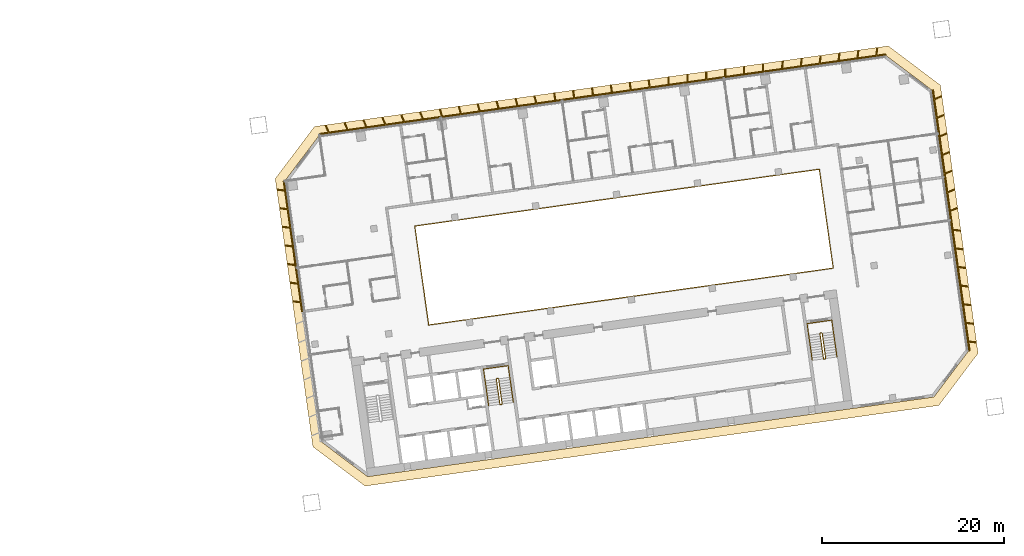
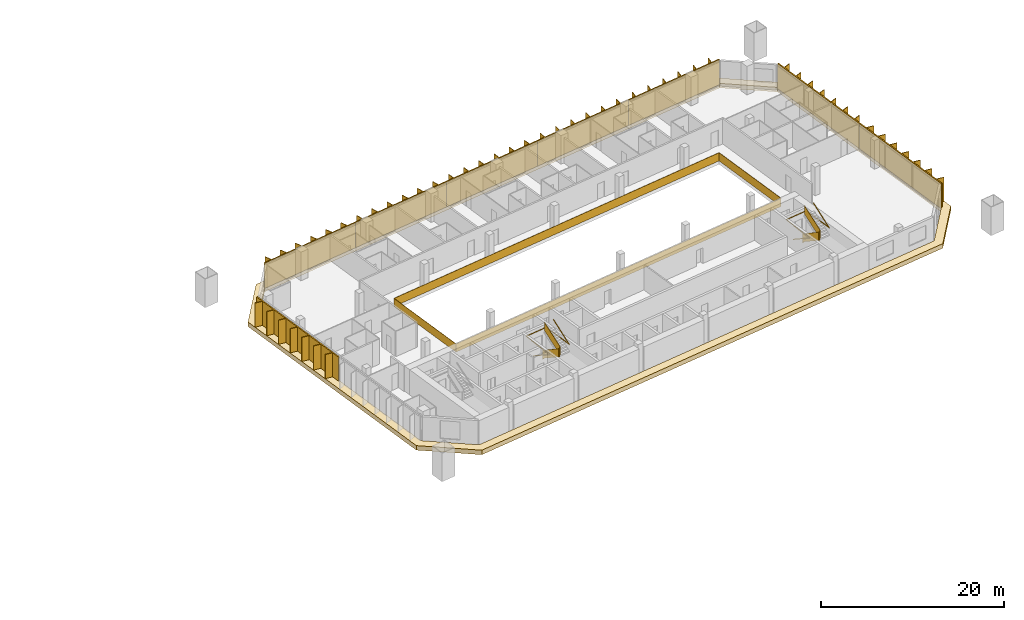
# One storey, part 25 of 25: 8 shading devices, 5 railings, 1 covering.
"""IFC4 building model written with IfcOpenShell, lengths in metres."""

from ifc_helpers import new_model, si_unit, direction, frame, origin, origin_2d, place, context, subcontext, project, spatial, polyline, rectangle, outline, extrude, material, layer, layer_set, type_object, element, save


model = new_model("IFC4")

# Units and contexts
model_context = context("Model", 3, precision=1e-05, world=origin(), true_north=direction((0.0, 1.0)))
body_context = subcontext(model_context, "Body", "Model", "MODEL_VIEW")
ifc_project = project(units=[si_unit("LENGTHUNIT", "METRE"), si_unit("AREAUNIT", "SQUARE_METRE"), si_unit("VOLUMEUNIT", "CUBIC_METRE"), si_unit("PLANEANGLEUNIT", "RADIAN"), si_unit("MASSUNIT", "GRAM", prefix="KILO")], contexts=[model_context])

# Site, building, storey
site_placement = place(None, origin())
site = spatial("IfcSite", under=ifc_project, at=site_placement, CompositionType="ELEMENT")
building_placement = place(site_placement, origin())
building = spatial("IfcBuilding", under=site, at=building_placement, Name="Mirante Cascada Hotel Towers", CompositionType="ELEMENT")
storey_placement = place(building_placement, frame((0.0, 0.0, 62.3)))
storey = spatial("IfcBuildingStorey", under=building, at=storey_placement, Name="L12", CompositionType="ELEMENT", Elevation=62.3)

# Railing
ifc_material_1 = material(Name="Toughened glass with stainless steel handrail", Category="steel")
railing_type_1 = type_object("IfcRailingType", Name="Atrium guard 1100 glass balustrade", PredefinedType="GUARDRAIL", material=ifc_material_1)
railing_1_placement = place(storey_placement, frame((43.8418, -3.4881, 0.0)))
element("IfcRailing", 1, at=railing_1_placement, inside=storey, type_object=railing_type_1, Name="GUARD 2-L12-1", PredefinedType="GUARDRAIL", context=body_context, shape_type="SweptSolid", body=[
    extrude(rectangle(XDim=0.048, YDim=0.048, at=origin_2d()), frame((0.0, 0.0, 1.076), z_axis=(0.9902681, 0.1391732, 0.0), x_axis=(-0.1391732, 0.9902681, 0.0)), (0.0, 0.0, 1.0), 45.0),
    extrude(rectangle(XDim=0.02, YDim=1.052, at=origin_2d()), frame((0.0, 0.0, 0.526), z_axis=(0.9902681, 0.1391732, 0.0), x_axis=(-0.1391732, 0.9902681, 0.0)), (0.0, 0.0, 1.0), 45.0),
    extrude(rectangle(XDim=0.048, YDim=0.048, at=origin_2d()), frame((44.5621, 6.2628, 1.076), z_axis=(-0.1391721, 0.9902682, 0.0), x_axis=(-0.9902682, -0.1391721, 0.0)), (0.0, 0.0, 1.0), 11.0001),
    extrude(rectangle(XDim=0.02, YDim=1.052, at=origin_2d()), frame((44.5621, 6.2628, 0.526), z_axis=(-0.1391721, 0.9902682, 0.0), x_axis=(-0.9902682, -0.1391721, 0.0)), (0.0, 0.0, 1.0), 11.0001),
    extrude(rectangle(XDim=0.048, YDim=0.048, at=origin_2d()), frame((43.0312, 17.1558, 1.076), z_axis=(-0.9902681, -0.1391732, 0.0), x_axis=(0.1391732, -0.9902681, 0.0)), (0.0, 0.0, 1.0), 45.0),
    extrude(rectangle(XDim=0.02, YDim=1.052, at=origin_2d()), frame((43.0312, 17.1558, 0.526), z_axis=(-0.9902681, -0.1391732, 0.0), x_axis=(0.1391732, -0.9902681, 0.0)), (0.0, 0.0, 1.0), 45.0),
    extrude(rectangle(XDim=0.048, YDim=0.048, at=origin_2d()), frame((-1.5309, 10.893, 1.076), z_axis=(0.1391721, -0.9902682, 0.0), x_axis=(0.9902682, 0.1391721, 0.0)), (0.0, 0.0, 1.0), 11.0001),
    extrude(rectangle(XDim=0.02, YDim=1.052, at=origin_2d()), frame((-1.5309, 10.893, 0.526), z_axis=(0.1391721, -0.9902682, 0.0), x_axis=(0.9902682, 0.1391721, 0.0)), (0.0, 0.0, 1.0), 11.0001),
])

# Covering
ifc_material_2 = material(Name="Precast concrete C40/50 white", Category="concrete")
ifc_layer = layer(ifc_material_2, 0.6)
ifc_layer_set = layer_set([ifc_layer], Name="Precast concrete SUNSHADE band 1000x600")
covering_type = type_object("IfcCoveringType", Name="Precast concrete SUNSHADE band 1000x600", PredefinedType="CLADDING", material=ifc_layer_set)
covering_placement = place(storey_placement, frame((0.0, 0.0, -0.45)))
element("IfcCovering", 2, at=covering_placement, inside=storey, type_object=covering_type, Name="Precast concrete SUNSHADE band T2 L12", PredefinedType="CLADDING", context=body_context, shape_type="SweptSolid", body=[
    extrude(outline(polyline([(26.9341, 12.6299), (31.2626, 18.374), (94.4698, 27.2572), (100.2139, 22.9287), (104.3652, -6.6094), (100.0367, -12.3535), (36.8295, -21.2367), (31.0854, -16.9082), (26.9341, 12.6299)]), holes=[polyline([(103.3173, -6.3384), (99.2813, 22.3794), (94.1988, 26.2093), (31.8119, 17.4414), (27.982, 12.3589), (32.018, -16.3589), (37.1005, -20.1888), (99.4874, -11.4209), (103.3173, -6.3384)])]), origin(), (0.0, 0.0, 1.0), 0.6),
])

# Railings
ifc_material_3 = material(Name="Painted steel", Category="steel")
railing_type_2 = type_object("IfcRailingType", Name="Stair guard 1100 steel balustrade", PredefinedType="GUARDRAIL", material=ifc_material_3)
railing_2_placement = place(storey_placement, frame((51.4864, -9.3815, 0.0)))
element("IfcRailing", 3, at=railing_2_placement, inside=storey, type_object=railing_type_2, Name="L12 ST2-B stair guard 1", PredefinedType="GUARDRAIL", context=body_context, shape_type="SweptSolid", body=[
    extrude(rectangle(XDim=0.048, YDim=0.048, at=origin_2d()), frame((0.0, 0.0, 1.076), z_axis=(-0.9902408, -0.1393672, 0.0), x_axis=(0.1393672, -0.9902408, 0.0)), (0.0, 0.0, 1.0), 0.15),
    extrude(rectangle(XDim=0.02, YDim=1.052, at=origin_2d()), frame((0.0, 0.0, 0.526), z_axis=(-0.9902408, -0.1393672, 0.0), x_axis=(0.1393672, -0.9902408, 0.0)), (0.0, 0.0, 1.0), 0.15),
    extrude(rectangle(XDim=0.048, YDim=0.048, at=origin_2d()), frame((-0.1485, -0.0209, 1.076), z_axis=(-0.6020331, -0.7984711, 0.0), x_axis=(0.7984711, -0.6020331, 0.0)), (0.0, 0.9253398, 0.3791387), 0.1866),
    extrude(rectangle(XDim=0.02, YDim=1.052, at=origin_2d()), frame((-0.1485, -0.0209, 0.526), z_axis=(-0.6020331, -0.7984711, 0.0), x_axis=(0.7984711, -0.6020331, 0.0)), (0.0, 0.9253398, 0.3791387), 0.1866),
    extrude(rectangle(XDim=0.048, YDim=0.048, at=origin_2d()), frame((-0.1911, -0.0774, 1.2487), z_axis=(0.139181, -0.990267, 0.0), x_axis=(0.990267, 0.139181, 0.0)), (0.0, 0.5250347, 0.8510808), 3.2899),
    extrude(rectangle(XDim=0.02, YDim=1.052, at=origin_2d()), frame((-0.1911, -0.0774, 0.6987), z_axis=(0.139181, -0.990267, 0.0), x_axis=(0.990267, 0.139181, 0.0)), (0.0, 0.5250347, 0.8510808), 3.2899),
    extrude(rectangle(XDim=0.048, YDim=0.048, at=origin_2d()), frame((0.1986, -2.8501, 2.976), z_axis=(0.9944441, -0.1052656, 0.0), x_axis=(0.1052656, 0.9944441, 0.0)), (0.0, 0.0, 1.0), 0.2061),
    extrude(rectangle(XDim=0.02, YDim=1.052, at=origin_2d()), frame((0.1986, -2.8501, 2.426), z_axis=(0.9944441, -0.1052656, 0.0), x_axis=(0.1052656, 0.9944441, 0.0)), (0.0, 0.0, 1.0), 0.2061),
    extrude(rectangle(XDim=0.048, YDim=0.048, at=origin_2d()), frame((0.4036, -2.8718, 2.976), z_axis=(-0.9902408, -0.1393672, 0.0), x_axis=(0.1393672, -0.9902408, 0.0)), (0.0, 0.0, 1.0), 0.15),
    extrude(rectangle(XDim=0.02, YDim=1.052, at=origin_2d()), frame((0.4036, -2.8718, 2.426), z_axis=(-0.9902408, -0.1393672, 0.0), x_axis=(0.1393672, -0.9902408, 0.0)), (0.0, 0.0, 1.0), 0.15),
    extrude(rectangle(XDim=0.048, YDim=0.048, at=origin_2d()), frame((0.2551, -2.8927, 2.976), z_axis=(0.9268624, 0.3754011, 0.0), x_axis=(-0.3754011, 0.9268624, 0.0)), (0.0, 0.6421217, 0.7666028), 0.269),
    extrude(rectangle(XDim=0.02, YDim=1.052, at=origin_2d()), frame((0.2551, -2.8927, 2.426), z_axis=(0.9268624, 0.3754011, 0.0), x_axis=(-0.3754011, 0.9268624, 0.0)), (0.0, 0.6421217, 0.7666028), 0.269),
    extrude(rectangle(XDim=0.048, YDim=0.048, at=origin_2d()), frame((0.4462, -2.8153, 3.1487), z_axis=(-0.139181, 0.990267, 0.0), x_axis=(-0.990267, -0.139181, 0.0)), (0.0, 0.5250347, 0.8510808), 3.2899),
    extrude(rectangle(XDim=0.02, YDim=1.052, at=origin_2d()), frame((0.4462, -2.8153, 2.5987), z_axis=(-0.139181, 0.990267, 0.0), x_axis=(-0.990267, -0.139181, 0.0)), (0.0, 0.5250347, 0.8510808), 3.2899),
])
railing_3_placement = place(storey_placement, frame((87.1361, -4.3713, 0.0)))
element("IfcRailing", 4, at=railing_3_placement, inside=storey, type_object=railing_type_2, Name="L12 ST2-C stair guard 1", PredefinedType="GUARDRAIL", context=body_context, shape_type="SweptSolid", body=[
    extrude(rectangle(XDim=0.048, YDim=0.048, at=origin_2d()), frame((0.0, 0.0, 1.076), z_axis=(-0.9902537, -0.1392753, 0.0), x_axis=(0.1392753, -0.9902537, 0.0)), (0.0, 0.0, 1.0), 0.1501),
    extrude(rectangle(XDim=0.02, YDim=1.052, at=origin_2d()), frame((0.0, 0.0, 0.526), z_axis=(-0.9902537, -0.1392753, 0.0), x_axis=(0.1392753, -0.9902537, 0.0)), (0.0, 0.0, 1.0), 0.1501),
    extrude(rectangle(XDim=0.048, YDim=0.048, at=origin_2d()), frame((-0.1486, -0.0209, 1.076), z_axis=(-0.601811, -0.7986386, 0.0), x_axis=(0.7986386, -0.601811, 0.0)), (0.0, 0.925603, 0.3784959), 0.1866),
    extrude(rectangle(XDim=0.02, YDim=1.052, at=origin_2d()), frame((-0.1486, -0.0209, 0.526), z_axis=(-0.601811, -0.7986386, 0.0), x_axis=(0.7986386, -0.601811, 0.0)), (0.0, 0.925603, 0.3784959), 0.1866),
    extrude(rectangle(XDim=0.048, YDim=0.048, at=origin_2d()), frame((-0.1911, -0.0773, 1.2487), z_axis=(0.139176, -0.9902677, 0.0), x_axis=(0.9902677, 0.139176, 0.0)), (0.0, 0.5250212, 0.8510891), 3.29),
    extrude(rectangle(XDim=0.02, YDim=1.052, at=origin_2d()), frame((-0.1911, -0.0773, 0.6987), z_axis=(0.139176, -0.9902677, 0.0), x_axis=(0.9902677, 0.139176, 0.0)), (0.0, 0.5250212, 0.8510891), 3.29),
    extrude(rectangle(XDim=0.048, YDim=0.048, at=origin_2d()), frame((0.1986, -2.8501, 2.976), z_axis=(0.9944441, -0.1052656, 0.0), x_axis=(0.1052656, 0.9944441, 0.0)), (0.0, 0.0, 1.0), 0.2061),
    extrude(rectangle(XDim=0.02, YDim=1.052, at=origin_2d()), frame((0.1986, -2.8501, 2.426), z_axis=(0.9944441, -0.1052656, 0.0), x_axis=(0.1052656, 0.9944441, 0.0)), (0.0, 0.0, 1.0), 0.2061),
    extrude(rectangle(XDim=0.048, YDim=0.048, at=origin_2d()), frame((0.4036, -2.8718, 2.976), z_axis=(-0.9903454, -0.1386217, 0.0), x_axis=(0.1386217, -0.9903454, 0.0)), (0.0, 0.0, 1.0), 0.15),
    extrude(rectangle(XDim=0.02, YDim=1.052, at=origin_2d()), frame((0.4036, -2.8718, 2.426), z_axis=(-0.9903454, -0.1386217, 0.0), x_axis=(0.1386217, -0.9903454, 0.0)), (0.0, 0.0, 1.0), 0.15),
    extrude(rectangle(XDim=0.048, YDim=0.048, at=origin_2d()), frame((0.255, -2.8926, 2.976), z_axis=(0.9270311, 0.3749843, 0.0), x_axis=(-0.3749843, 0.9270311, 0.0)), (0.0, 0.6421903, 0.7665452), 0.2689),
    extrude(rectangle(XDim=0.02, YDim=1.052, at=origin_2d()), frame((0.255, -2.8926, 2.426), z_axis=(0.9270311, 0.3749843, 0.0), x_axis=(-0.3749843, 0.9270311, 0.0)), (0.0, 0.6421903, 0.7665452), 0.2689),
    extrude(rectangle(XDim=0.048, YDim=0.048, at=origin_2d()), frame((0.4461, -2.8153, 3.1487), z_axis=(-0.139176, 0.9902677, 0.0), x_axis=(-0.9902677, -0.139176, 0.0)), (0.0, 0.5250212, 0.8510891), 3.29),
    extrude(rectangle(XDim=0.02, YDim=1.052, at=origin_2d()), frame((0.4461, -2.8153, 2.5987), z_axis=(-0.139176, 0.9902677, 0.0), x_axis=(-0.9902677, -0.139176, 0.0)), (0.0, 0.5250212, 0.8510891), 3.29),
])
ifc_material_4 = material(Name="Painted steel", Category="steel")
railing_type_3 = type_object("IfcRailingType", Name="Stair handrail 900 steel tube", PredefinedType="HANDRAIL", material=ifc_material_4)
railing_4_placement = place(storey_placement, frame((50.0575, -9.6328, 0.1727)))
element("IfcRailing", 5, at=railing_4_placement, inside=storey, type_object=railing_type_3, Name="L12 ST2-B stair handrail 1", PredefinedType="HANDRAIL", context=body_context, shape_type="SweptSolid", body=[
    extrude(rectangle(XDim=0.048, YDim=0.048, at=origin_2d()), frame((0.0, 0.0, 0.876), z_axis=(0.139176, -0.9902677, 0.0), x_axis=(0.9902677, 0.139176, 0.0)), (0.0, 0.5250212, 0.8510891), 3.29),
    extrude(rectangle(XDim=0.048, YDim=0.048, at=origin_2d()), frame((0.3897, -2.7728, 2.6033), z_axis=(-0.1391707, 0.9902684, 0.0), x_axis=(-0.9902684, -0.1391707, 0.0)), (0.0, 0.0420846, 0.999114), 4.1036),
    extrude(rectangle(XDim=0.048, YDim=0.048, at=origin_2d()), frame((-0.1809, 1.2873, 2.776), z_axis=(0.9902641, 0.1392013, 0.0), x_axis=(-0.1392013, 0.9902641, 0.0)), (0.0, 0.0, 1.0), 2.75),
    extrude(rectangle(XDim=0.048, YDim=0.048, at=origin_2d()), frame((2.5423, 1.6701, 2.776), z_axis=(0.1391707, -0.9902684, 0.0), x_axis=(0.9902684, 0.1391707, 0.0)), (0.0, 0.0, 1.0), 4.1),
    extrude(rectangle(XDim=0.048, YDim=0.048, at=origin_2d()), frame((3.1129, -2.39, 2.776), z_axis=(-0.139181, 0.990267, 0.0), x_axis=(-0.990267, -0.139181, 0.0)), (0.0, 0.5250347, 0.8510808), 3.2899),
])
railing_5_placement = place(storey_placement, frame((85.7071, -4.6226, 0.1727)))
element("IfcRailing", 6, at=railing_5_placement, inside=storey, type_object=railing_type_3, Name="L12 ST2-C stair handrail 1", PredefinedType="HANDRAIL", context=body_context, shape_type="SweptSolid", body=[
    extrude(rectangle(XDim=0.048, YDim=0.048, at=origin_2d()), frame((0.0, 0.0, 0.876), z_axis=(0.139181, -0.990267, 0.0), x_axis=(0.990267, 0.139181, 0.0)), (0.0, 0.5250347, 0.8510808), 3.2899),
    extrude(rectangle(XDim=0.048, YDim=0.048, at=origin_2d()), frame((0.3897, -2.7727, 2.6033), z_axis=(-0.1391707, 0.9902684, 0.0), x_axis=(-0.9902684, -0.1391707, 0.0)), (0.0, 0.0420846, 0.999114), 4.1036),
    extrude(rectangle(XDim=0.048, YDim=0.048, at=origin_2d()), frame((-0.1809, 1.2874, 2.776), z_axis=(0.9902691, 0.1391657, 0.0), x_axis=(-0.1391657, 0.9902691, 0.0)), (0.0, 0.0, 1.0), 2.75),
    extrude(rectangle(XDim=0.048, YDim=0.048, at=origin_2d()), frame((2.5423, 1.6701, 2.776), z_axis=(0.1391947, -0.990265, 0.0), x_axis=(0.990265, 0.1391947, 0.0)), (0.0, 0.0, 1.0), 4.1),
    extrude(rectangle(XDim=0.048, YDim=0.048, at=origin_2d()), frame((3.113, -2.39, 2.776), z_axis=(-0.139181, 0.990267, 0.0), x_axis=(-0.990267, -0.139181, 0.0)), (0.0, 0.5250347, 0.8510808), 3.2899),
])

# Shading devices
ifc_material_5 = material(Name="White precast concrete C50/60 fin", Category="concrete")
shading_device_type = type_object("IfcShadingDeviceType", Name="Vertical fin set 4500x900", PredefinedType="USERDEFINED", material=ifc_material_5)
shading_device_1_placement = place(storey_placement, origin())
element("IfcShadingDevice", 7, at=shading_device_1_placement, inside=storey, type_object=shading_device_type, Name="FIN T2 L12 front 1", ObjectType="FIN", PredefinedType="USERDEFINED", context=body_context, shape_type="SweptSolid", body=[
    extrude(outline(polyline([(82.8967, 25.5893), (82.7946, 24.758), (84.7922, 25.0387), (84.8968, 25.8913), (84.9762, 25.8815), (84.8742, 25.0503), (86.8717, 25.331), (86.9764, 26.1835), (87.0558, 26.1738), (86.9537, 25.3425), (88.9513, 25.6233), (89.056, 26.4758), (89.1354, 26.4661), (89.0333, 25.6348), (91.0308, 25.9155), (91.1355, 26.7681), (91.2149, 26.7583), (91.1129, 25.9271), (93.1104, 26.2078), (93.2151, 27.0603), (93.2945, 27.0506), (93.1924, 26.2193), (94.1779, 26.3578), (94.1988, 26.2093), (81.7214, 24.4557), (81.7006, 24.6042), (82.7126, 24.7465), (82.8173, 25.599), (82.8967, 25.5893)])), origin(), (0.0, 0.0, 1.0), 3.35),
])
shading_device_2_placement = place(storey_placement, origin())
element("IfcShadingDevice", 8, at=shading_device_2_placement, inside=storey, type_object=shading_device_type, Name="FIN T2 L12 front 2", ObjectType="FIN", PredefinedType="USERDEFINED", context=body_context, shape_type="SweptSolid", body=[
    extrude(outline(polyline([(70.3021, 23.8476), (70.3094, 23.0033), (72.3091, 23.2844), (72.3016, 24.1392), (72.3816, 24.1399), (72.389, 23.2956), (74.3886, 23.5766), (74.3812, 24.4314), (74.4612, 24.4321), (74.4686, 23.5878), (76.4682, 23.8689), (76.4608, 24.7237), (76.5407, 24.7244), (76.5481, 23.8801), (78.5478, 24.1611), (78.5403, 25.0159), (78.6203, 25.0166), (78.6277, 24.1724), (80.6273, 24.4534), (80.6199, 25.3082), (80.6999, 25.3089), (80.7072, 24.4646), (81.7006, 24.6042), (81.7214, 24.4557), (69.2441, 22.7021), (69.2232, 22.8507), (70.2295, 22.9921), (70.2221, 23.8469), (70.3021, 23.8476)])), origin(), (0.0, 0.0, 1.0), 3.35),
])
shading_device_3_placement = place(storey_placement, origin())
element("IfcShadingDevice", 9, at=shading_device_3_placement, inside=storey, type_object=shading_device_type, Name="FIN T2 L12 front 3", ObjectType="FIN", PredefinedType="USERDEFINED", context=body_context, shape_type="SweptSolid", body=[
    extrude(outline(polyline([(57.7069, 22.0905), (57.8252, 21.2488), (59.8255, 21.5299), (59.7072, 22.3716), (59.7865, 22.3828), (59.9048, 21.541), (61.9051, 21.8222), (61.7868, 22.6639), (61.866, 22.675), (61.9843, 21.8333), (63.9847, 22.1144), (63.8664, 22.9562), (63.9456, 22.9673), (64.0639, 22.1256), (66.0642, 22.4067), (65.9459, 23.2484), (66.0251, 23.2596), (66.1434, 22.4178), (68.1438, 22.699), (68.0255, 23.5407), (68.1047, 23.5518), (68.223, 22.7101), (69.2232, 22.8507), (69.2441, 22.7021), (56.7667, 20.9485), (56.7458, 21.0971), (57.746, 21.2376), (57.6277, 22.0794), (57.7069, 22.0905)])), origin(), (0.0, 0.0, 1.0), 3.35),
])
shading_device_4_placement = place(storey_placement, origin())
element("IfcShadingDevice", 10, at=shading_device_4_placement, inside=storey, type_object=shading_device_type, Name="FIN T2 L12 front 4", ObjectType="FIN", PredefinedType="USERDEFINED", context=body_context, shape_type="SweptSolid", body=[
    extrude(outline(polyline([(45.1132, 20.3181), (45.3416, 19.4943), (47.3413, 19.7754), (47.1157, 20.589), (47.1928, 20.6103), (47.4212, 19.7866), (49.4209, 20.0676), (49.1952, 20.8812), (49.2723, 20.9026), (49.5008, 20.0789), (51.5004, 20.3599), (51.2748, 21.1735), (51.3519, 21.1949), (51.5803, 20.3711), (53.58, 20.6521), (53.3544, 21.4657), (53.4314, 21.4871), (53.6599, 20.6634), (55.6595, 20.9444), (55.4339, 21.758), (55.511, 21.7794), (55.7394, 20.9556), (56.7458, 21.0971), (56.7667, 20.9485), (44.2893, 19.195), (44.2684, 19.3435), (45.2617, 19.4831), (45.0361, 20.2967), (45.1132, 20.3181)])), origin(), (0.0, 0.0, 1.0), 3.35),
])
shading_device_5_placement = place(storey_placement, origin())
element("IfcShadingDevice", 11, at=shading_device_5_placement, inside=storey, type_object=shading_device_type, Name="FIN T2 L12 front 5", ObjectType="FIN", PredefinedType="USERDEFINED", context=body_context, shape_type="SweptSolid", body=[
    extrude(outline(polyline([(32.5229, 18.5306), (32.8586, 17.7399), (34.8561, 18.0207), (34.5289, 18.7916), (34.6025, 18.8229), (34.9381, 18.0322), (36.9357, 18.3129), (36.6084, 19.0839), (36.6821, 19.1151), (37.0177, 18.3245), (39.0152, 18.6052), (38.688, 19.3761), (38.7616, 19.4074), (39.0973, 18.6167), (41.0948, 18.8975), (40.7676, 19.6684), (40.8412, 19.6997), (41.1768, 18.909), (43.1744, 19.1897), (42.8471, 19.9607), (42.9208, 19.9919), (43.2564, 19.2013), (44.2684, 19.3435), (44.2893, 19.195), (31.8119, 17.4414), (31.791, 17.5899), (32.7765, 17.7284), (32.4493, 18.4994), (32.5229, 18.5306)])), origin(), (0.0, 0.0, 1.0), 3.35),
])
shading_device_6_placement = place(storey_placement, origin())
element("IfcShadingDevice", 12, at=shading_device_6_placement, inside=storey, type_object=shading_device_type, Name="FIN T2 L12 inner 1", ObjectType="FIN", PredefinedType="USERDEFINED", context=body_context, shape_type="SweptSolid", body=[
    extrude(outline(polyline([(28.8684, -0.8389), (29.6997, -0.941), (29.4229, 1.0283), (28.5704, 1.133), (28.5801, 1.2124), (29.4114, 1.1103), (29.1346, 3.0796), (28.2821, 3.1842), (28.2918, 3.2636), (29.1231, 3.1616), (28.8464, 5.1308), (27.9938, 5.2355), (28.0036, 5.3149), (28.8348, 5.2128), (28.5581, 7.1821), (27.7055, 7.2868), (27.7153, 7.3662), (28.5465, 7.2641), (28.2698, 9.2334), (27.4172, 9.338), (27.427, 9.4174), (28.2583, 9.3154), (27.9815, 11.2846), (27.1289, 11.3893), (27.1387, 11.4687), (27.97, 11.3667), (27.8334, 12.338), (27.982, 12.3589), (30.0, -2.0), (29.8515, -2.0209), (29.7112, -1.023), (28.8587, -0.9183), (28.8684, -0.8389)])), origin(), (0.0, 0.0, 1.0), 3.35),
])
shading_device_7_placement = place(storey_placement, origin())
element("IfcShadingDevice", 13, at=shading_device_7_placement, inside=storey, type_object=shading_device_type, Name="FIN T2 L12 outer 1", ObjectType="FIN", PredefinedType="USERDEFINED", context=body_context, shape_type="SweptSolid", body=[
    extrude(outline(polyline([(104.1606, -5.4483), (103.3293, -5.3462), (103.4659, -6.3175), (103.3173, -6.3384), (101.2993, 8.0205), (101.4478, 8.0413), (101.5881, 7.0434), (102.4406, 6.9388), (102.4309, 6.8594), (101.5996, 6.9614), (101.8764, 4.9922), (102.7289, 4.8875), (102.7192, 4.8081), (101.8879, 4.9102), (102.1647, 2.9409), (103.0172, 2.8362), (103.0075, 2.7568), (102.1762, 2.8589), (102.4529, 0.8896), (103.3055, 0.785), (103.2957, 0.7056), (102.4645, 0.8076), (102.7412, -1.1616), (103.5938, -1.2663), (103.584, -1.3457), (102.7528, -1.2436), (103.0295, -3.2129), (103.8821, -3.3176), (103.8723, -3.397), (103.041, -3.2949), (103.3178, -5.2642), (104.1704, -5.3689), (104.1606, -5.4483)])), origin(), (0.0, 0.0, 1.0), 3.35),
])
shading_device_8_placement = place(storey_placement, origin())
element("IfcShadingDevice", 14, at=shading_device_8_placement, inside=storey, type_object=shading_device_type, Name="FIN T2 L12 outer 2", ObjectType="FIN", PredefinedType="USERDEFINED", context=body_context, shape_type="SweptSolid", body=[
    extrude(outline(polyline([(102.0983, 9.3749), (101.3076, 9.0392), (101.4478, 8.0413), (101.2993, 8.0205), (99.2813, 22.3794), (99.4298, 22.4002), (99.5663, 21.4289), (100.3373, 21.7561), (100.3685, 21.6825), (99.5779, 21.3469), (99.8546, 19.3776), (100.6256, 19.7048), (100.6568, 19.6312), (99.8662, 19.2956), (100.1429, 17.3263), (100.9139, 17.6536), (100.9451, 17.5799), (100.1544, 17.2443), (100.4312, 15.2751), (101.2021, 15.6023), (101.2334, 15.5287), (100.4427, 15.193), (100.7195, 13.2238), (101.4904, 13.551), (101.5217, 13.4774), (100.731, 13.1418), (101.0078, 11.1725), (101.7787, 11.4998), (101.81, 11.4261), (101.0193, 11.0905), (101.2961, 9.1212), (102.067, 9.4485), (102.0983, 9.3749)])), origin(), (0.0, 0.0, 1.0), 3.35),
])

save(model, "model.ifc")
